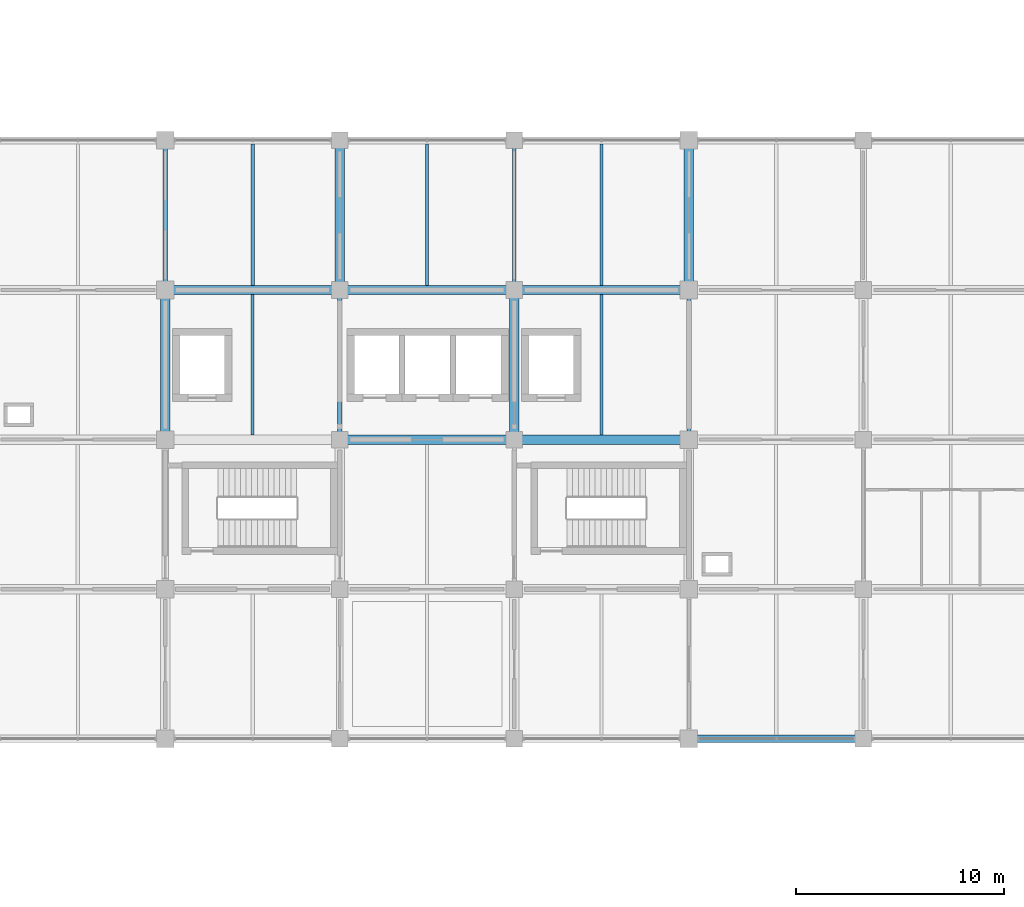
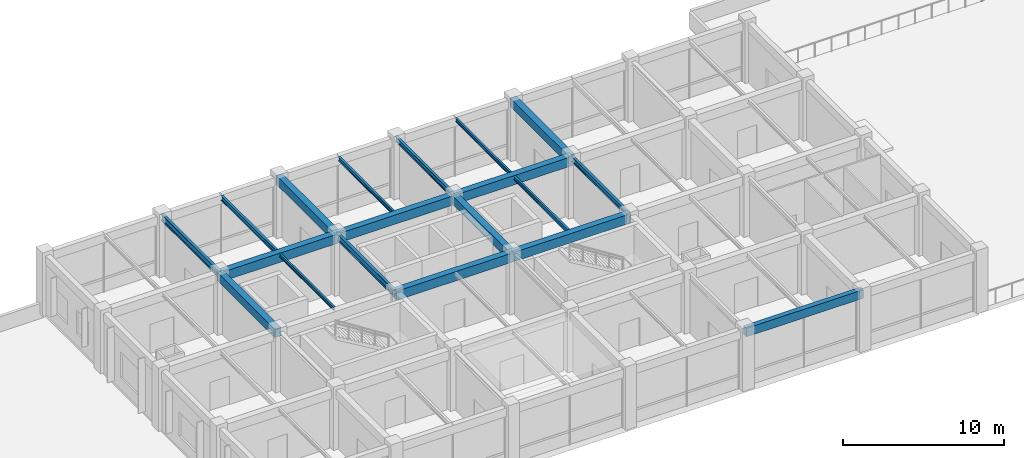
# One storey, part 32 of 45: 19 beams.
"""IFC4 building model written with IfcOpenShell, lengths in metres."""

import ifcopenshell
import ifcopenshell.guid

model = None  # the IFC model being written
_history = None  # IfcOwnerHistory: only IFC2X3 demands one
_inside = {}  # id of a spatial element -> (the spatial element, [elements in it])
_under = {}  # id of a project, library or spatial element -> (it, [spatial elements below it])
_declared = {}  # id of a project -> (the project, [libraries it declares])
_typed = {}  # id of a type object -> (the type object, [elements of that type])
_made_of = {}  # id of a material, layer set ... -> (it, [elements and type objects made of it])


def new_model(schema):
    """Start an empty IFC model of exactly this schema.

    Asked for "IFC4X3", IfcOpenShell would pick the latest addendum, in which some entities
    have other attributes; the version numbers below select the first issue.
    IFC2X3 requires an IfcOwnerHistory on every rooted entity: one is made here for all.
    """
    global model, _history
    if schema == "IFC4X3":
        model = ifcopenshell.file(schema_version=(4, 3, 0, 0))
    else:
        model = ifcopenshell.file(schema=schema)
    _inside.clear()
    _under.clear()
    _declared.clear()
    _typed.clear()
    _made_of.clear()
    _history = None
    if model.schema == "IFC2X3":
        org = make("IfcOrganization", Name="unknown")
        user = make(
            "IfcPersonAndOrganization",
            ThePerson=make("IfcPerson", FamilyName="unknown"),
            TheOrganization=org,
        )
        app = make(
            "IfcApplication",
            ApplicationDeveloper=org,
            Version="unknown",
            ApplicationFullName="unknown",
            ApplicationIdentifier="unknown",
        )
        _history = make(
            "IfcOwnerHistory",
            OwningUser=user,
            OwningApplication=app,
            ChangeAction="ADDED",
            CreationDate=0,
        )
    return model


def make(cls, **values):
    """One entity of the class cls with the attributes given. An attribute that is None is left unset."""
    return model.create_entity(
        cls, **{name: value for name, value in values.items() if value is not None}
    )


def rooted(cls, **values):
    """An entity with a GlobalId (a new one), such as an element, a storey or a relation."""
    return make(cls, GlobalId=ifcopenshell.guid.new(), OwnerHistory=_history, **values)


def si_unit(unit_type, name, prefix=None):
    """IfcSIUnit, for example si_unit("LENGTHUNIT", "METRE", prefix="MILLI")."""
    return make("IfcSIUnit", UnitType=unit_type, Prefix=prefix, Name=name)


def derived_unit(unit_type, elements):
    """IfcDerivedUnit: a product of units, each with its exponent."""
    return make(
        "IfcDerivedUnit",
        Elements=[
            make("IfcDerivedUnitElement", Unit=unit, Exponent=power)
            for unit, power in elements
        ],
        UnitType=unit_type,
    )


def assignment(units):
    """IfcUnitAssignment: the units of a project."""
    return None if units is None else make("IfcUnitAssignment", Units=units)


def point(xyz):
    """IfcCartesianPoint."""
    return None if xyz is None else make("IfcCartesianPoint", Coordinates=xyz)


def direction(xyz):
    """IfcDirection."""
    return None if xyz is None else make("IfcDirection", DirectionRatios=xyz)


def frame(location, z_axis=None, x_axis=None):
    """IfcAxis2Placement3D, a coordinate frame: its origin and axes. An axis left out is left unset."""
    return make(
        "IfcAxis2Placement3D",
        Location=point(location),
        Axis=direction(z_axis),
        RefDirection=direction(x_axis),
    )


def frame_2d(location, x_axis=None):
    """IfcAxis2Placement2D, a coordinate frame in the plane: its origin and x axis."""
    return make(
        "IfcAxis2Placement2D", Location=point(location), RefDirection=direction(x_axis)
    )


def origin():
    """The frame at (0, 0, 0) with its axes left unset."""
    return frame((0.0, 0.0, 0.0))


def origin_2d():
    """The frame at (0, 0) in the plane with its x axis left unset."""
    return frame_2d((0.0, 0.0))


def place(relative_to, where):
    """IfcLocalPlacement: puts the frame where relative to a parent placement (None: the world)."""
    return make(
        "IfcLocalPlacement", PlacementRelTo=relative_to, RelativePlacement=where
    )


def context(
    kind, dimensions, precision=None, world=None, true_north=None, identifier=None
):
    """IfcGeometricRepresentationContext, for example the 3D "Model" context."""
    return make(
        "IfcGeometricRepresentationContext",
        ContextIdentifier=identifier,
        ContextType=kind,
        CoordinateSpaceDimension=dimensions,
        Precision=precision,
        WorldCoordinateSystem=world,
        TrueNorth=true_north,
    )


def subcontext(parent, identifier, kind, view, scale=None):
    """IfcGeometricRepresentationSubContext, for example "Body" below "Model"."""
    return make(
        "IfcGeometricRepresentationSubContext",
        ContextIdentifier=identifier,
        ContextType=kind,
        ParentContext=parent,
        TargetScale=scale,
        TargetView=view,
    )


def project(units=None, contexts=None):
    """IfcProject with its units and contexts."""
    return rooted(
        "IfcProject",
        Name="project",
        RepresentationContexts=contexts,
        UnitsInContext=assignment(units),
    )


def spatial(cls, under=None, at=None, **own):
    """A site, building, storey or space (cls), placed at a placement, below another one or the project."""
    s = rooted(cls, ObjectPlacement=at, **own)
    if under is not None:
        _under.setdefault(under.id(), (under, []))[1].append(s)
    return s


def profile(cls, at=None, kind="AREA", **sizes):
    """A parametric profile (cls). Its sizes go by their IFC names, for example OverallWidth=200.0."""
    return make(cls, ProfileType=kind, Position=at, **sizes)


def rectangle(**sizes):
    """IfcRectangleProfileDef."""
    return profile("IfcRectangleProfileDef", **sizes)


def i_section(**sizes):
    """IfcIShapeProfileDef."""
    return profile("IfcIShapeProfileDef", **sizes)


def extrude(swept, where, along, depth):
    """IfcExtrudedAreaSolid: the profile swept, set in the frame where, extruded along a direction by depth."""
    return make(
        "IfcExtrudedAreaSolid",
        SweptArea=swept,
        Position=where,
        ExtrudedDirection=direction(along),
        Depth=depth,
    )


def shape(context_of_items, identifier, shape_type, items):
    """IfcShapeRepresentation: the items that make up one representation, for example the "Body"."""
    return make(
        "IfcShapeRepresentation",
        ContextOfItems=context_of_items,
        RepresentationIdentifier=identifier,
        RepresentationType=shape_type,
        Items=items,
    )


def material(Name=None, Category=None):
    """IfcMaterial."""
    return make("IfcMaterial", Name=Name, Category=Category)


def material_profile(
    of_material, cross_section, Name=None, Category=None, Priority=None
):
    """IfcMaterialProfile: a cross section and its material."""
    return make(
        "IfcMaterialProfile",
        Name=Name,
        Material=of_material,
        Profile=cross_section,
        Priority=Priority,
        Category=Category,
    )


def profile_set(profiles, Name=None, composite=None):
    """IfcMaterialProfileSet."""
    return make(
        "IfcMaterialProfileSet",
        Name=Name,
        MaterialProfiles=profiles,
        CompositeProfile=composite,
    )


def made_of(thing, what):
    """Note that an element or type object is made of a material, layer set ...; save() writes the relation."""
    if what is not None:
        _made_of.setdefault(what.id(), (what, []))[1].append(thing)
    return thing


def type_object(cls, material=None, **own):
    """A type object (cls), such as IfcWallType, which elements share."""
    return made_of(rooted(cls, **own), material)


def element(
    cls,
    number,
    at=None,
    inside=None,
    cuts=None,
    type_object=None,
    material=None,
    context=None,
    identifier="Body",
    shape_type=None,
    held_by="IfcProductDefinitionShape",
    body=None,
    shapes=None,
    **own,
):
    """One element of the class cls, such as IfcWall. Its Tag is "e" and its number.

    at: its placement. inside: the storey or other place that contains it. cuts: it is an
    opening in that element (IfcRelVoidsElement). A single representation is given by context,
    identifier, shape_type and body (its items); several are given by shapes. held_by: the class
    of the entity that holds the representations. save() writes the other relations.
    """
    e = rooted(cls, Tag="e%d" % number, ObjectPlacement=at, **own)
    if body is not None:
        shapes = [shape(context, identifier, shape_type, body)]
    if shapes is not None:
        e.Representation = make(held_by, Representations=shapes)
    if inside is not None:
        _inside.setdefault(inside.id(), (inside, []))[1].append(e)
    if cuts is not None:
        rooted(
            "IfcRelVoidsElement", RelatingBuildingElement=cuts, RelatedOpeningElement=e
        )
    if type_object is not None:
        _typed.setdefault(type_object.id(), (type_object, []))[1].append(e)
    return made_of(e, material)


def aggregate(whole, parts):
    """IfcRelAggregates: a whole, such as a stair, and the parts it consists of."""
    return rooted("IfcRelAggregates", RelatingObject=whole, RelatedObjects=parts)


def save(model, path):
    """Write the relations noted so far, then the file.

    IfcRelAggregates (storeys below a building ...), IfcRelContainedInSpatialStructure (elements
    in a storey), IfcRelDefinesByType, IfcRelAssociatesMaterial and IfcRelDeclares: one each for
    every whole, place, type object, material and project.
    """
    for whole, parts in _under.values():
        aggregate(whole, parts)
    for where, things in _inside.values():
        rooted(
            "IfcRelContainedInSpatialStructure",
            RelatedElements=things,
            RelatingStructure=where,
        )
    for kind, things in _typed.values():
        rooted("IfcRelDefinesByType", RelatedObjects=things, RelatingType=kind)
    for what, things in _made_of.values():
        rooted("IfcRelAssociatesMaterial", RelatedObjects=things, RelatingMaterial=what)
    for by, libraries in _declared.values():
        rooted("IfcRelDeclares", RelatingContext=by, RelatedDefinitions=libraries)
    model.write(path)


model = new_model("IFC4")

# Units and contexts
model_context = context("Model", 3, precision=1e-05, world=origin(), true_north=direction((0.0, 1.0)))
body_context = subcontext(model_context, "Body", "Model", "MODEL_VIEW")
ifc_project = project(units=[si_unit("LENGTHUNIT", "METRE"), si_unit("AREAUNIT", "SQUARE_METRE"), si_unit("VOLUMEUNIT", "CUBIC_METRE"), si_unit("PLANEANGLEUNIT", "RADIAN"), si_unit("MASSUNIT", "GRAM", prefix="KILO"), derived_unit("THERMALTRANSMITTANCEUNIT", [(si_unit("MASSUNIT", "GRAM", prefix="KILO"), 1), (si_unit("TIMEUNIT", "SECOND"), -3), (si_unit("THERMODYNAMICTEMPERATUREUNIT", "KELVIN"), -1)])], contexts=[model_context])

# Site, building, storey
site_placement = place(None, origin())
site = spatial("IfcSite", under=ifc_project, at=site_placement, CompositionType="ELEMENT")
building_placement = place(site_placement, origin())
building = spatial("IfcBuilding", under=site, at=building_placement, Name="Veldstrom Oceanarium and Marine Research Institute", CompositionType="ELEMENT")
storey_placement = place(building_placement, frame((0.0, 0.0, 22.199951171875)))
storey = spatial("IfcBuildingStorey", under=building, at=storey_placement, Name="L04", CompositionType="ELEMENT", Elevation=22.199951171875)

# Beams
ifc_material_1 = material(Name="Concrete C40/50", Category="concrete")
ifc_material_profile_1 = material_profile(ifc_material_1, rectangle(XDim=0.449951171875, YDim=0.699951171875, at=origin_2d()), Name="RC-BM-450x700")
ifc_profile_set_1 = profile_set([ifc_material_profile_1], Name="Concrete C40/50")
beam_type_1 = type_object("IfcBeamType", Name="STR-BM-B04", PredefinedType="BEAM", material=ifc_profile_set_1)
for number, where, z_axis, x_axis, name in (
    (1, (75.60009765625, 64.800048828125, 4.1650390625), (1.0, 0.0, 0.0), (0.0, 1.0, 0.0), "Primary Beam B04 L04-2103"),
    (2, (84.0, 57.60009765625, 4.1650390625), (1.0, 0.0, 0.0), (0.0, 1.0, 0.0), "Primary Beam B04 L04-2107"),
    (3, (84.0, 64.800048828125, 4.1650390625), (1.0, 0.0, 0.0), (0.0, 1.0, 0.0), "Primary Beam B04 L04-2108"),
):
    element("IfcBeam", number, at=place(storey_placement, frame(where, z_axis=z_axis, x_axis=x_axis)), inside=storey, type_object=beam_type_1, Name=name, PredefinedType="BEAM", context=body_context, shape_type="SweptSolid", body=[
        extrude(rectangle(XDim=0.449951171875, YDim=0.699951171875, at=origin_2d()), origin(), (0.0, 0.0, 1.0), 8.39990234375),
    ])
for number, where, z_axis, x_axis, name in (
    (4, (92.39990234375, 57.60009765625, 4.1650390625), (1.0, 0.0, 0.0), (0.0, 1.0, 0.0), "Primary Beam B04 L04-2112"),
    (5, (92.39990234375, 64.800048828125, 4.1650390625), (1.0, 0.0, 0.0), (0.0, 1.0, 0.0), "Primary Beam B04 L04-2113"),
):
    element("IfcBeam", number, at=place(storey_placement, frame(where, z_axis=z_axis, x_axis=x_axis)), inside=storey, type_object=beam_type_1, Name=name, PredefinedType="BEAM", context=body_context, shape_type="SweptSolid", body=[
        extrude(rectangle(XDim=0.449951171875, YDim=0.699951171875, at=origin_2d()), origin(), (0.0, 0.0, 1.0), 8.400146484375),
    ])
ifc_material_2 = material(Name="Concrete C40/50", Category="concrete")
ifc_material_profile_2 = material_profile(ifc_material_2, rectangle(XDim=0.449951171875, YDim=0.64990234375, at=origin_2d()), Name="RC-BM-450x650")
ifc_profile_set_2 = profile_set([ifc_material_profile_2], Name="Concrete C40/50")
beam_type_2 = type_object("IfcBeamType", Name="STR-BM-B05", PredefinedType="BEAM", material=ifc_profile_set_2)
for number, where, z_axis, x_axis, name in (
    (6, (75.60009765625, 57.60009765625, 4.18994140625), (0.0, 1.0, 0.0), (-1.0, 0.0, 0.0), "Primary Beam B05 L04-2131"),
    (7, (84.0, 64.800048828125, 4.18994140625), (0.0, 1.0, 0.0), (-1.0, 0.0, 0.0), "Primary Beam B05 L04-2136"),
    (8, (92.39990234375, 57.60009765625, 4.18994140625), (0.0, 1.0, 0.0), (-1.0, 0.0, 0.0), "Primary Beam B05 L04-2139"),
    (9, (100.800048828125, 64.800048828125, 4.18994140625), (0.0, 1.0, 0.0), (-1.0, 0.0, 0.0), "Primary Beam B05 L04-2144"),
):
    element("IfcBeam", number, at=place(storey_placement, frame(where, z_axis=z_axis, x_axis=x_axis)), inside=storey, type_object=beam_type_2, Name=name, PredefinedType="BEAM", context=body_context, shape_type="SweptSolid", body=[
        extrude(rectangle(XDim=0.449951171875, YDim=0.64990234375, at=origin_2d()), origin(), (0.0, 0.0, 1.0), 7.199951171875),
    ])
ifc_material_3 = material(Name="Steel S355JR", Category="steel")
ifc_material_profile_3 = material_profile(ifc_material_3, i_section(OverallWidth=0.199951171875, OverallDepth=0.5, WebThickness=0.01025390625, FlangeThickness=0.01611328125, FilletRadius=0.02099609375, at=origin_2d()), Name="IPE 500")
ifc_profile_set_3 = profile_set([ifc_material_profile_3], Name="Steel S355JR")
beam_type_3 = type_object("IfcBeamType", Name="STR-BM-SB6", PredefinedType="BEAM", material=ifc_profile_set_3)
for number, where, z_axis, x_axis, name in (
    (10, (75.60009765625, 64.800048828125, 4.26513671875), (0.0, 1.0, 0.0), (-1.0, 0.0, 0.0), "Steel Tie Beam SB6 L04-2132"),
    (11, (84.0, 57.60009765625, 4.26513671875), (0.0, 1.0, 0.0), (-1.0, 0.0, 0.0), "Steel Tie Beam SB6 L04-2135"),
):
    element("IfcBeam", number, at=place(storey_placement, frame(where, z_axis=z_axis, x_axis=x_axis)), inside=storey, type_object=beam_type_3, Name=name, PredefinedType="BEAM", context=body_context, shape_type="SweptSolid", body=[
        extrude(i_section(OverallWidth=0.199951171875, OverallDepth=0.5, WebThickness=0.01025390625, FlangeThickness=0.01611328125, FilletRadius=0.02099609375, at=origin_2d()), origin(), (0.0, 0.0, 1.0), 7.199951171875),
    ])
ifc_material_4 = material(Name="Steel S355JR", Category="steel")
ifc_material_profile_4 = material_profile(ifc_material_4, i_section(OverallWidth=0.179931640625, OverallDepth=0.39990234375, WebThickness=0.008544921875, FlangeThickness=0.013427734375, FilletRadius=0.02099609375, at=origin_2d()), Name="IPE 400")
ifc_profile_set_4 = profile_set([ifc_material_profile_4], Name="Steel S355JR")
beam_type_4 = type_object("IfcBeamType", Name="STR-BM-SB8", PredefinedType="BEAM", material=ifc_profile_set_4)
for number, where, z_axis, x_axis, name in (
    (12, (92.39990234375, 64.800048828125, 4.31494140625), (0.0, 1.0, 0.0), (-1.0, 0.0, 0.0), "Steel Tie Beam SB8 L04-2140"),
    (13, (100.800048828125, 57.60009765625, 4.31494140625), (0.0, 1.0, 0.0), (-1.0, 0.0, 0.0), "Steel Tie Beam SB8 L04-2143"),
):
    element("IfcBeam", number, at=place(storey_placement, frame(where, z_axis=z_axis, x_axis=x_axis)), inside=storey, type_object=beam_type_4, Name=name, PredefinedType="BEAM", context=body_context, shape_type="SweptSolid", body=[
        extrude(i_section(OverallWidth=0.179931640625, OverallDepth=0.39990234375, WebThickness=0.008544921875, FlangeThickness=0.013427734375, FilletRadius=0.02099609375, at=origin_2d()), origin(), (0.0, 0.0, 1.0), 7.199951171875),
    ])
ifc_material_5 = material(Name="Steel S355JR", Category="steel")
ifc_material_profile_5 = material_profile(ifc_material_5, i_section(OverallWidth=0.169921875, OverallDepth=0.360107421875, WebThickness=0.008056640625, FlangeThickness=0.0126953125, FilletRadius=0.01806640625, at=origin_2d()), Name="IPE 360")
ifc_profile_set_5 = profile_set([ifc_material_profile_5], Name="Steel S355JR")
beam_type_5 = type_object("IfcBeamType", Name="STR-JST-SJ1", PredefinedType="JOIST", material=ifc_profile_set_5)
beam_1_placement = place(storey_placement, frame((79.800048828125, 65.02490234375, 4.3349609375), z_axis=(0.0, 1.0, 0.0), x_axis=(-1.0, 0.0, 0.0)))
element("IfcBeam", 14, at=beam_1_placement, inside=storey, type_object=beam_type_5, Name="Secondary Joist SJ1 L04-2159", PredefinedType="JOIST", context=body_context, shape_type="SweptSolid", body=[
    extrude(i_section(OverallWidth=0.169921875, OverallDepth=0.360107421875, WebThickness=0.008056640625, FlangeThickness=0.0126953125, FilletRadius=0.01806640625, at=origin_2d()), origin(), (0.0, 0.0, 1.0), 6.800048828125),
])
ifc_material_6 = material(Name="Steel S355JR", Category="steel")
ifc_material_profile_6 = material_profile(ifc_material_6, i_section(OverallWidth=0.14990234375, OverallDepth=0.300048828125, WebThickness=0.007080078125, FlangeThickness=0.0107421875, FilletRadius=0.014892578125, at=origin_2d()), Name="IPE 300")
ifc_profile_set_6 = profile_set([ifc_material_profile_6], Name="Steel S355JR")
beam_type_6 = type_object("IfcBeamType", Name="STR-JST-SJ2", PredefinedType="JOIST", material=ifc_profile_set_6)
beam_2_placement = place(storey_placement, frame((88.199951171875, 65.02490234375, 4.364990234375), z_axis=(0.0, 1.0, 0.0), x_axis=(-1.0, 0.0, 0.0)))
element("IfcBeam", 15, at=beam_2_placement, inside=storey, type_object=beam_type_6, Name="Secondary Joist SJ2 L04-2162", PredefinedType="JOIST", context=body_context, shape_type="SweptSolid", body=[
    extrude(i_section(OverallWidth=0.14990234375, OverallDepth=0.300048828125, WebThickness=0.007080078125, FlangeThickness=0.0107421875, FilletRadius=0.014892578125, at=origin_2d()), origin(), (0.0, 0.0, 1.0), 6.800048828125),
])
beam_3_placement = place(storey_placement, frame((96.60009765625, 57.824951171875, 4.364990234375), z_axis=(0.0, 1.0, 0.0), x_axis=(-1.0, 0.0, 0.0)))
element("IfcBeam", 16, at=beam_3_placement, inside=storey, type_object=beam_type_6, Name="Secondary Joist SJ2 L04-2164", PredefinedType="JOIST", context=body_context, shape_type="SweptSolid", body=[
    extrude(i_section(OverallWidth=0.14990234375, OverallDepth=0.300048828125, WebThickness=0.007080078125, FlangeThickness=0.0107421875, FilletRadius=0.014892578125, at=origin_2d()), origin(), (0.0, 0.0, 1.0), 6.75),
])
ifc_material_7 = material(Name="Steel S355JR", Category="steel")
ifc_material_profile_7 = material_profile(ifc_material_7, i_section(OverallWidth=0.135009765625, OverallDepth=0.27001953125, WebThickness=0.006591796875, FlangeThickness=0.01025390625, FilletRadius=0.014892578125, at=origin_2d()), Name="IPE 270")
ifc_profile_set_7 = profile_set([ifc_material_profile_7], Name="Steel S355JR")
beam_type_7 = type_object("IfcBeamType", Name="STR-JST-SJ3", PredefinedType="JOIST", material=ifc_profile_set_7)
beam_4_placement = place(storey_placement, frame((79.800048828125, 57.824951171875, 4.380126953125), z_axis=(0.0, 1.0, 0.0), x_axis=(-1.0, 0.0, 0.0)))
element("IfcBeam", 17, at=beam_4_placement, inside=storey, type_object=beam_type_7, Name="Secondary Joist SJ3 L04-2158", PredefinedType="JOIST", context=body_context, shape_type="SweptSolid", body=[
    extrude(i_section(OverallWidth=0.135009765625, OverallDepth=0.27001953125, WebThickness=0.006591796875, FlangeThickness=0.01025390625, FilletRadius=0.014892578125, at=origin_2d()), origin(), (0.0, 0.0, 1.0), 6.75),
])
beam_5_placement = place(storey_placement, frame((96.60009765625, 65.02490234375, 4.380126953125), z_axis=(0.0, 1.0, 0.0), x_axis=(-1.0, 0.0, 0.0)))
element("IfcBeam", 18, at=beam_5_placement, inside=storey, type_object=beam_type_7, Name="Secondary Joist SJ3 L04-2165", PredefinedType="JOIST", context=body_context, shape_type="SweptSolid", body=[
    extrude(i_section(OverallWidth=0.135009765625, OverallDepth=0.27001953125, WebThickness=0.006591796875, FlangeThickness=0.01025390625, FilletRadius=0.014892578125, at=origin_2d()), origin(), (0.0, 0.0, 1.0), 6.800048828125),
])
ifc_material_8 = material(Name="Concrete C40/50", Category="concrete")
ifc_material_profile_8 = material_profile(ifc_material_8, rectangle(XDim=0.35009765625, YDim=0.64990234375, at=origin_2d()), Name="RC-SPN-350x650")
ifc_profile_set_8 = profile_set([ifc_material_profile_8], Name="Concrete C40/50")
beam_type_8 = type_object("IfcBeamType", Name="STR-SPN-SP1", PredefinedType="SPANDREL", material=ifc_profile_set_8)
beam_6_placement = place(storey_placement, frame((100.800048828125, 43.199951171875, 4.18994140625), z_axis=(1.0, 0.0, 0.0), x_axis=(0.0, 1.0, 0.0)))
element("IfcBeam", 19, at=beam_6_placement, inside=storey, type_object=beam_type_8, Name="Perimeter Spandrel SPB1 L04-2115", PredefinedType="SPANDREL", context=body_context, shape_type="SweptSolid", body=[
    extrude(rectangle(XDim=0.35009765625, YDim=0.64990234375, at=origin_2d()), origin(), (0.0, 0.0, 1.0), 8.39990234375),
])

save(model, "model.ifc")
